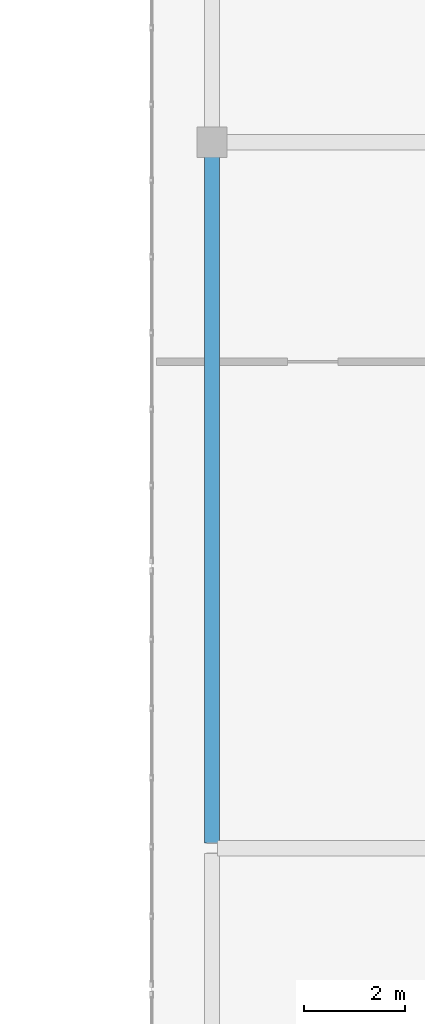
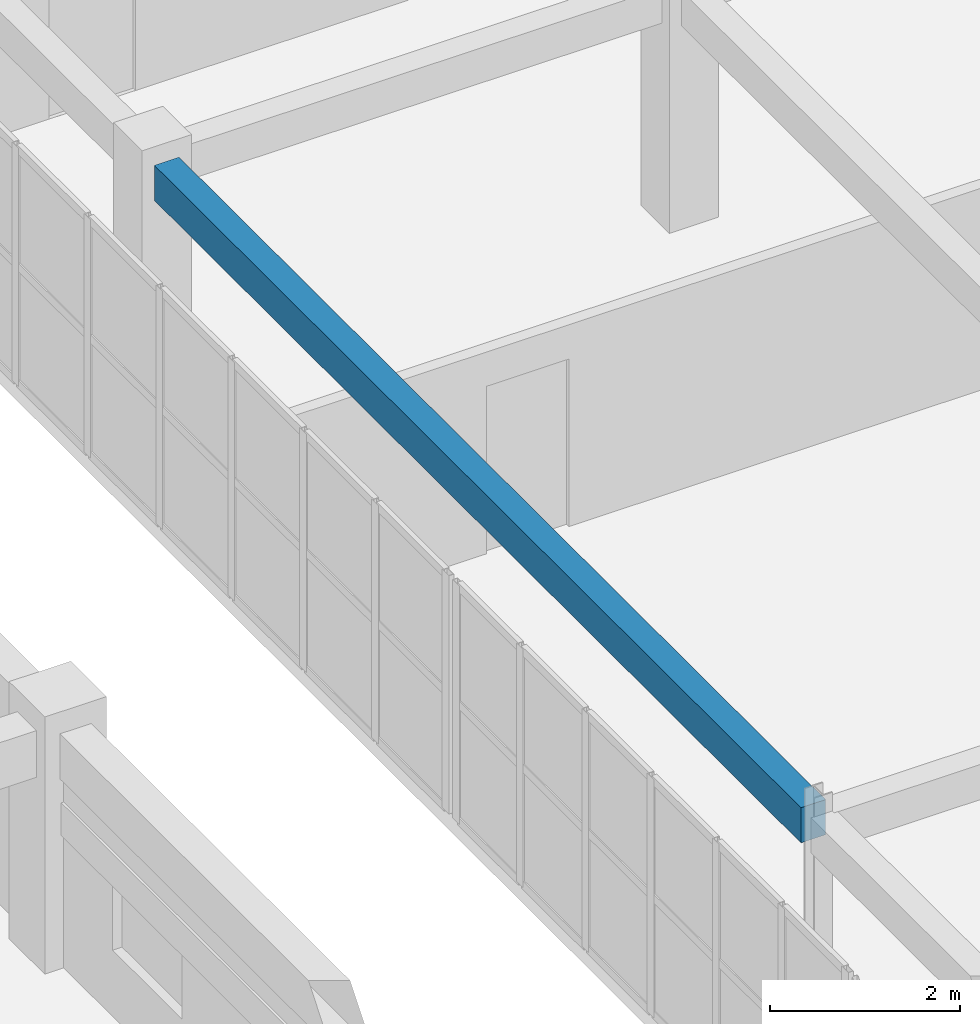
# One storey, part 40 of 200: 1 beam.
"""IFC4 building model written with IfcOpenShell, lengths in metres."""

from ifc_helpers import new_model, si_unit, direction, frame, origin, origin_2d, place, context, subcontext, project, spatial, rectangle, extrude, material, material_profile, profile_set, type_object, element, save


model = new_model("IFC4")

# Units and contexts
model_context = context("Model", 3, precision=1e-05, world=origin(), true_north=direction((0.0, 1.0)))
body_context = subcontext(model_context, "Body", "Model", "MODEL_VIEW")
ifc_project = project(units=[si_unit("LENGTHUNIT", "METRE"), si_unit("AREAUNIT", "SQUARE_METRE"), si_unit("VOLUMEUNIT", "CUBIC_METRE"), si_unit("PLANEANGLEUNIT", "RADIAN"), si_unit("MASSUNIT", "GRAM", prefix="KILO")], contexts=[model_context])

# Site, building, storey
site_placement = place(None, origin())
site = spatial("IfcSite", under=ifc_project, at=site_placement, CompositionType="ELEMENT")
building_placement = place(site_placement, origin())
building = spatial("IfcBuilding", under=site, at=building_placement, Name="Trelvath General Hospital", CompositionType="ELEMENT")
storey_placement = place(building_placement, frame((0.0, 0.0, 4.800048828125)))
storey = spatial("IfcBuildingStorey", under=building, at=storey_placement, Name="L01", CompositionType="ELEMENT", Elevation=4.800048828125)

# Beam
ifc_material = material(Name="Concrete C35/45", Category="concrete")
ifc_material_profile = material_profile(ifc_material, rectangle(XDim=0.300048828125, YDim=0.449951171875, at=origin_2d()), Name="RCB300x450")
ifc_profile_set = profile_set([ifc_material_profile], Name="Concrete C35/45")
beam_type = type_object("IfcBeamType", Name="Beam RC300x450", PredefinedType="BEAM", material=ifc_profile_set)
beam_placement = place(storey_placement, frame((48.0, 44.906005859375, 2.8349609375), z_axis=(0.0, 1.0, 0.0), x_axis=(-1.0, 0.0, 0.0)))
element("IfcBeam", 1, at=beam_placement, inside=storey, type_object=beam_type, Name="Cube Interior Ring Beam CUBE-W-T0 L01", PredefinedType="BEAM", context=body_context, shape_type="SweptSolid", body=[
    extrude(rectangle(XDim=0.300048828125, YDim=0.449951171875, at=origin_2d()), origin(), (0.0, 0.0, 1.0), 13.597900390625),
])

save(model, "model.ifc")
